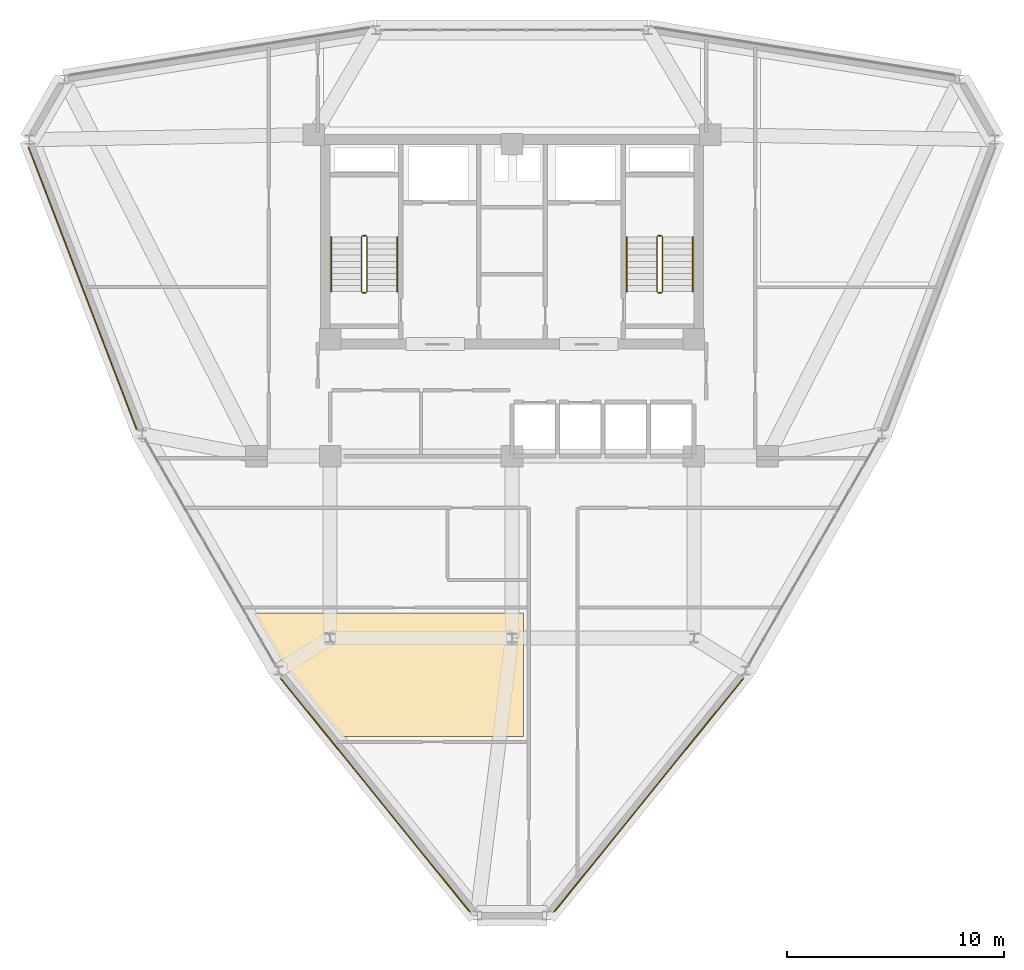
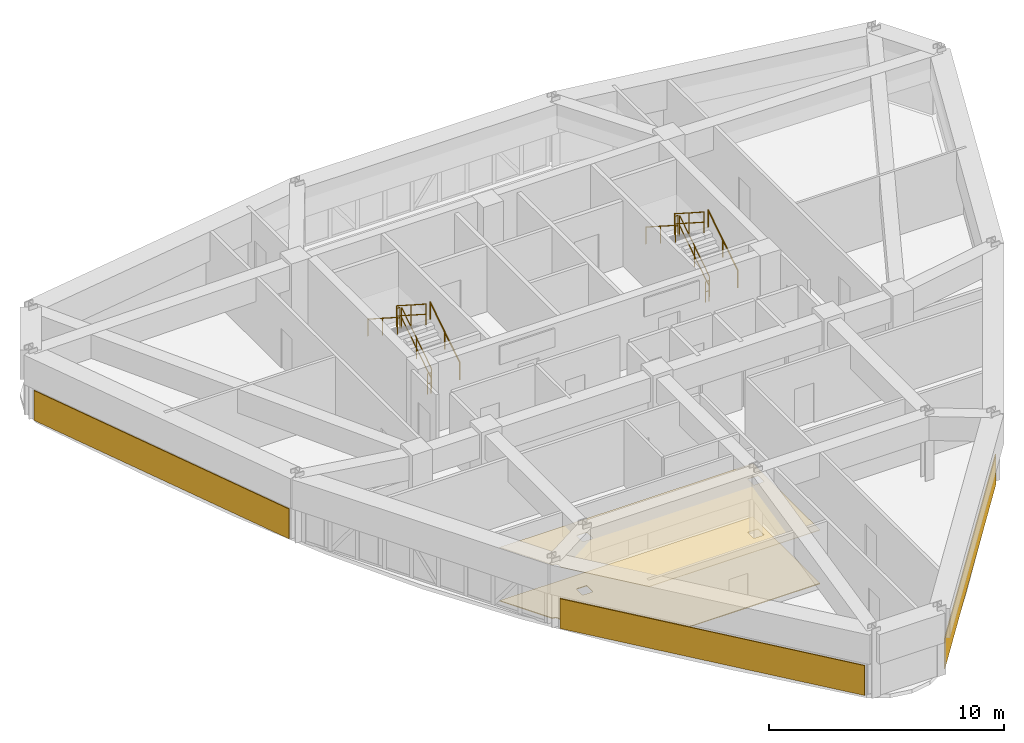
# One storey, part 12 of 13: 12 railings, 5 coverings.
"""IFC4 building model written with IfcOpenShell, lengths in metres."""

from ifc_helpers import new_model, si_unit, derived_unit, direction, frame, origin, origin_2d, place, context, subcontext, project, spatial, polyline, circle, outline, extrude, material, layer, layer_set, type_object, element, save


model = new_model("IFC4")

# Units and contexts
model_context = context("Model", 3, precision=1e-05, world=origin(), true_north=direction((0.0, 1.0)))
body_context = subcontext(model_context, "Body", "Model", "MODEL_VIEW")
ifc_project = project(units=[si_unit("LENGTHUNIT", "METRE"), si_unit("AREAUNIT", "SQUARE_METRE"), si_unit("VOLUMEUNIT", "CUBIC_METRE"), si_unit("PLANEANGLEUNIT", "RADIAN"), si_unit("MASSUNIT", "GRAM", prefix="KILO"), derived_unit("THERMALTRANSMITTANCEUNIT", [(si_unit("POWERUNIT", "WATT"), 1), (si_unit("LENGTHUNIT", "METRE"), -2), (si_unit("THERMODYNAMICTEMPERATUREUNIT", "KELVIN"), -1)])], contexts=[model_context])

# Site, building, storey
site_placement = place(None, origin())
site = spatial("IfcSite", under=ifc_project, at=site_placement, CompositionType="ELEMENT")
building_placement = place(site_placement, origin())
building = spatial("IfcBuilding", under=site, at=building_placement, Name="Korsvarv Bourse and Concert Hall", CompositionType="ELEMENT")
storey_placement = place(building_placement, frame((0.0, 0.0, 183.0)))
storey = spatial("IfcBuildingStorey", under=building, at=storey_placement, Name="L47", CompositionType="ELEMENT", Elevation=183.0)

# Coverings
ifc_material_1 = material(Name="Perforated mineral-wool and birch acoustic baffle ceiling", Category="wood")
ifc_layer_1 = layer(ifc_material_1, 0.02490234375)
ifc_layer_set_1 = layer_set([ifc_layer_1], Name="Perforated mineral-wool and birch acoustic baffle ceiling")
covering_type_1 = type_object("IfcCoveringType", Name="COV-CEIL-1", PredefinedType="CEILING", material=ifc_layer_set_1)
covering_1_placement = place(storey_placement, frame((0.0, 0.0, 2.780029296875)))
element("IfcCovering", 1, at=covering_1_placement, inside=storey, type_object=covering_type_1, Name="L47 acoustic baffle ceiling 3", PredefinedType="CEILING", context=body_context, shape_type="SweptSolid", body=[
    extrude(outline(polyline([(28.135986328125, 19.449951171875), (25.60986328125, 22.567138671875), (25.60986328125, 22.72021484375), (25.606201171875, 22.756103515625), (25.595703125, 22.79052734375), (25.578125, 22.822021484375), (25.554931640625, 22.849609375), (25.526611328125, 22.8720703125), (25.494384765625, 22.88818359375), (25.45947265625, 22.897705078125), (25.383544921875, 22.903564453125), (24.08642578125, 25.14990234375), (36.52001953125, 25.14990234375), (36.52001953125, 19.449951171875), (28.135986328125, 19.449951171875)]), holes=[polyline([(27.37939453125, 23.734619140625), (27.805908203125, 23.732421875), (27.82958984375, 23.73828125), (27.84765625, 23.754638671875), (27.855712890625, 23.777587890625), (27.85595703125, 24.217529296875), (27.85009765625, 24.2412109375), (27.833740234375, 24.259033203125), (27.810791015625, 24.267333984375), (27.39404296875, 24.267578125), (27.370361328125, 24.26171875), (27.352294921875, 24.245361328125), (27.34423828125, 24.222412109375), (27.343994140625, 23.782470703125), (27.349853515625, 23.7587890625), (27.37939453125, 23.734619140625)]), polyline([(35.7841796875, 23.7333984375), (36.2060546875, 23.732421875), (36.2294921875, 23.73828125), (36.24755859375, 23.754638671875), (36.255859375, 23.777587890625), (36.256103515625, 24.217529296875), (36.25, 24.2412109375), (36.23388671875, 24.259033203125), (36.2109375, 24.267333984375), (35.7939453125, 24.267578125), (35.7705078125, 24.26171875), (35.75244140625, 24.245361328125), (35.744140625, 24.222412109375), (35.743896484375, 23.782470703125), (35.75, 23.7587890625), (35.7841796875, 23.7333984375)])]), origin(), (0.0, 0.0, 1.0), 0.02490234375),
])
ifc_material_2 = material(Name="Warm iron-oxide extruded terracotta rainscreen tile", Category="ceramic")
ifc_layer_2 = layer(ifc_material_2, 0.044921875)
ifc_layer_set_2 = layer_set([ifc_layer_2], Name="Warm iron-oxide extruded terracotta rainscreen tile")
covering_type_2 = type_object("IfcCoveringType", Name="COV-CLD-TC", PredefinedType="CLADDING", material=ifc_layer_set_2)
covering_2_placement = place(storey_placement, origin())
element("IfcCovering", 2, at=covering_2_placement, inside=storey, type_object=covering_type_2, Name="L47 fluted terracotta cladding panel EW-L47-B06", PredefinedType="CLADDING", context=body_context, shape_type="SweptSolid", body=[
    extrude(outline(polyline([(13.694091796875, 46.677001953125), (18.691162109375, 33.64501953125), (18.649169921875, 33.628662109375), (13.652099609375, 46.660888671875), (13.694091796875, 46.677001953125)])), origin(), (0.0, 0.0, 1.0), 1.550048828125),
])
covering_3_placement = place(storey_placement, origin())
element("IfcCovering", 3, at=covering_3_placement, inside=storey, type_object=covering_type_2, Name="L47 fluted terracotta cladding panel EW-L47-B08", PredefinedType="CLADDING", context=body_context, shape_type="SweptSolid", body=[
    extrude(outline(polyline([(25.3349609375, 22.152099609375), (34.064453125, 11.379638671875), (34.029541015625, 11.351318359375), (25.300048828125, 22.12353515625), (25.3349609375, 22.152099609375)])), origin(), (0.0, 0.0, 1.0), 1.550048828125),
])
covering_4_placement = place(storey_placement, origin())
element("IfcCovering", 4, at=covering_4_placement, inside=storey, type_object=covering_type_2, Name="L47 fluted terracotta cladding panel EW-L47-B10", PredefinedType="CLADDING", context=body_context, shape_type="SweptSolid", body=[
    extrude(outline(polyline([(37.935546875, 11.379638671875), (46.6650390625, 22.152099609375), (46.699951171875, 22.12353515625), (37.970458984375, 11.351318359375), (37.935546875, 11.379638671875)])), origin(), (0.0, 0.0, 1.0), 1.550048828125),
])
ifc_material_3 = material(Name="Calcium-sulphate raised access trading floor with Nordic oak top", Category="wood")
ifc_layer_3 = layer(ifc_material_3, 0.0400390625)
ifc_layer_set_3 = layer_set([ifc_layer_3], Name="Calcium-sulphate raised access trading floor with Nordic oak top")
covering_type_3 = type_object("IfcCoveringType", Name="COV-FLOR-1", PredefinedType="FLOORING", material=ifc_layer_set_3)
covering_5_placement = place(storey_placement, origin())
element("IfcCovering", 5, at=covering_5_placement, inside=storey, type_object=covering_type_3, Name="L47 raised access oak floor finish 3", PredefinedType="FLOORING", context=body_context, shape_type="SweptSolid", body=[
    extrude(outline(polyline([(28.135986328125, 19.449951171875), (25.60986328125, 22.567138671875), (25.60986328125, 22.72021484375), (25.606201171875, 22.756103515625), (25.595703125, 22.79052734375), (25.578125, 22.822021484375), (25.554931640625, 22.849609375), (25.526611328125, 22.8720703125), (25.494384765625, 22.88818359375), (25.45947265625, 22.897705078125), (25.383544921875, 22.903564453125), (24.08642578125, 25.14990234375), (36.52001953125, 25.14990234375), (36.52001953125, 19.449951171875), (28.135986328125, 19.449951171875)]), holes=[polyline([(27.37939453125, 23.734619140625), (27.805908203125, 23.732421875), (27.82958984375, 23.73828125), (27.84765625, 23.754638671875), (27.855712890625, 23.777587890625), (27.85595703125, 24.217529296875), (27.85009765625, 24.2412109375), (27.833740234375, 24.259033203125), (27.810791015625, 24.267333984375), (27.39404296875, 24.267578125), (27.370361328125, 24.26171875), (27.352294921875, 24.245361328125), (27.34423828125, 24.222412109375), (27.343994140625, 23.782470703125), (27.349853515625, 23.7587890625), (27.37939453125, 23.734619140625)]), polyline([(35.7841796875, 23.7333984375), (36.2060546875, 23.732421875), (36.2294921875, 23.73828125), (36.24755859375, 23.754638671875), (36.255859375, 23.777587890625), (36.256103515625, 24.217529296875), (36.25, 24.2412109375), (36.23388671875, 24.259033203125), (36.2109375, 24.267333984375), (35.7939453125, 24.267578125), (35.7705078125, 24.26171875), (35.75244140625, 24.245361328125), (35.744140625, 24.222412109375), (35.743896484375, 23.782470703125), (35.75, 23.7587890625), (35.7841796875, 23.7333984375)])]), origin(), (0.0, 0.0, 1.0), 0.0400390625),
])

# Railings
ifc_material_4 = material(Name="Painted Steel S355 stair well guardrail", Category="steel")
railing_type_1 = type_object("IfcRailingType", Name="RL-ST-GRD", PredefinedType="GUARDRAIL", material=ifc_material_4)
railing_1_placement = place(storey_placement, frame((29.31005859375, 40.0, 0.179931640625)))
element("IfcRailing", 6, at=railing_1_placement, inside=storey, type_object=railing_type_1, Name="L47 ST-T1 stair guard 1", PredefinedType="GUARDRAIL", context=body_context, shape_type="SweptSolid", body=[
    extrude(circle(Radius=0.02392578125, at=origin_2d()), frame((0.0, 0.0, 1.076171875), z_axis=(0.0, 0.841162588446, 0.540782303519), x_axis=(-1.0, 0.0, 0.0)), (0.0, 0.0, 1.0), 2.995849609375),
    extrude(circle(Radius=0.02392578125, at=origin_2d()), frame((0.0, 0.0, 0.550048828125), z_axis=(0.0, 0.841162588446, 0.540782303519), x_axis=(-1.0, 0.0, 0.0)), (0.0, 0.0, 1.0), 2.995849609375),
    extrude(circle(Radius=0.02099609375, at=origin_2d()), origin(), (0.0, 0.0, 1.0), 1.052001953125),
    extrude(circle(Radius=0.02099609375, at=origin_2d()), frame((0.0, 1.260009765625, 0.81005859375)), (0.0, 0.0, 1.0), 1.052001953125),
    extrude(circle(Radius=0.02099609375, at=origin_2d()), frame((0.0, 2.52001953125, 1.6201171875)), (0.0, 0.0, 1.0), 1.052001953125),
])
railing_2_placement = place(storey_placement, frame((29.260009765625, 42.570068359375, 1.800048828125)))
element("IfcRailing", 7, at=railing_2_placement, inside=storey, type_object=railing_type_1, Name="L47 ST-T1 stair guard 2", PredefinedType="GUARDRAIL", context=body_context, shape_type="SweptSolid", body=[
    extrude(circle(Radius=0.02392578125, at=origin_2d()), frame((0.0, 0.0, 1.076171875), z_axis=(-1.0, 0.0, 0.0), x_axis=(0.0, -1.0, 0.0)), (0.0, 0.0, 1.0), 0.159912109375),
    extrude(circle(Radius=0.02392578125, at=origin_2d()), frame((0.0, 0.0, 0.550048828125), z_axis=(-1.0, 0.0, 0.0), x_axis=(0.0, -1.0, 0.0)), (0.0, 0.0, 1.0), 0.159912109375),
    extrude(circle(Radius=0.02099609375, at=origin_2d()), origin(), (0.0, 0.0, 1.0), 1.052001953125),
    extrude(circle(Radius=0.02099609375, at=origin_2d()), frame((-0.159912109375, 0.0, 0.0)), (0.0, 0.0, 1.0), 1.052001953125),
])
railing_3_placement = place(storey_placement, frame((29.050048828125, 42.52001953125, 1.97998046875)))
element("IfcRailing", 8, at=railing_3_placement, inside=storey, type_object=railing_type_1, Name="L47 ST-T1 stair guard 3", PredefinedType="GUARDRAIL", context=body_context, shape_type="SweptSolid", body=[
    extrude(circle(Radius=0.02392578125, at=origin_2d()), frame((0.0, 0.0, 1.076171875), z_axis=(0.0, -0.841162588446, 0.540782303519), x_axis=(1.0, 0.0, 0.0)), (0.0, 0.0, 1.0), 2.995849609375),
    extrude(circle(Radius=0.02392578125, at=origin_2d()), frame((0.0, 0.0, 0.550048828125), z_axis=(0.0, -0.841162588446, 0.540782303519), x_axis=(1.0, 0.0, 0.0)), (0.0, 0.0, 1.0), 2.995849609375),
    extrude(circle(Radius=0.02099609375, at=origin_2d()), origin(), (0.0, 0.0, 1.0), 1.052001953125),
    extrude(circle(Radius=0.02099609375, at=origin_2d()), frame((0.0, -1.260009765625, 0.81005859375)), (0.0, 0.0, 1.0), 1.052001953125),
    extrude(circle(Radius=0.02099609375, at=origin_2d()), frame((0.0, -2.52001953125, 1.6201171875)), (0.0, 0.0, 1.0), 1.052001953125),
])
railing_4_placement = place(storey_placement, frame((29.260009765625, 39.949951171875, 0.0)))
element("IfcRailing", 9, at=railing_4_placement, inside=storey, type_object=railing_type_1, Name="L47 ST-T1 stair guard 4", PredefinedType="GUARDRAIL", context=body_context, shape_type="SweptSolid", body=[
    extrude(circle(Radius=0.02392578125, at=origin_2d()), frame((0.0, 0.0, 1.076171875), z_axis=(-1.0, 0.0, 0.0), x_axis=(0.0, -1.0, 0.0)), (0.0, 0.0, 1.0), 0.159912109375),
    extrude(circle(Radius=0.02392578125, at=origin_2d()), frame((0.0, 0.0, 0.550048828125), z_axis=(-1.0, 0.0, 0.0), x_axis=(0.0, -1.0, 0.0)), (0.0, 0.0, 1.0), 0.159912109375),
    extrude(circle(Radius=0.02099609375, at=origin_2d()), origin(), (0.0, 0.0, 1.0), 1.052001953125),
    extrude(circle(Radius=0.02099609375, at=origin_2d()), frame((-0.159912109375, 0.0, 0.0)), (0.0, 0.0, 1.0), 1.052001953125),
])
railing_5_placement = place(storey_placement, frame((42.949951171875, 40.0, 0.179931640625)))
element("IfcRailing", 10, at=railing_5_placement, inside=storey, type_object=railing_type_1, Name="L47 ST-T2 stair guard 1", PredefinedType="GUARDRAIL", context=body_context, shape_type="SweptSolid", body=[
    extrude(circle(Radius=0.02392578125, at=origin_2d()), frame((0.0, 0.0, 1.076171875), z_axis=(0.0, 0.841162588446, 0.540782303519), x_axis=(-1.0, 0.0, 0.0)), (0.0, 0.0, 1.0), 2.995849609375),
    extrude(circle(Radius=0.02392578125, at=origin_2d()), frame((0.0, 0.0, 0.550048828125), z_axis=(0.0, 0.841162588446, 0.540782303519), x_axis=(-1.0, 0.0, 0.0)), (0.0, 0.0, 1.0), 2.995849609375),
    extrude(circle(Radius=0.02099609375, at=origin_2d()), origin(), (0.0, 0.0, 1.0), 1.052001953125),
    extrude(circle(Radius=0.02099609375, at=origin_2d()), frame((0.0, 1.260009765625, 0.81005859375)), (0.0, 0.0, 1.0), 1.052001953125),
    extrude(circle(Radius=0.02099609375, at=origin_2d()), frame((0.0, 2.52001953125, 1.6201171875)), (0.0, 0.0, 1.0), 1.052001953125),
])
railing_6_placement = place(storey_placement, frame((42.89990234375, 42.570068359375, 1.800048828125)))
element("IfcRailing", 11, at=railing_6_placement, inside=storey, type_object=railing_type_1, Name="L47 ST-T2 stair guard 2", PredefinedType="GUARDRAIL", context=body_context, shape_type="SweptSolid", body=[
    extrude(circle(Radius=0.02392578125, at=origin_2d()), frame((0.0, 0.0, 1.076171875), z_axis=(-1.0, 0.0, 0.0), x_axis=(0.0, -1.0, 0.0)), (0.0, 0.0, 1.0), 0.159912109375),
    extrude(circle(Radius=0.02392578125, at=origin_2d()), frame((0.0, 0.0, 0.550048828125), z_axis=(-1.0, 0.0, 0.0), x_axis=(0.0, -1.0, 0.0)), (0.0, 0.0, 1.0), 0.159912109375),
    extrude(circle(Radius=0.02099609375, at=origin_2d()), origin(), (0.0, 0.0, 1.0), 1.052001953125),
    extrude(circle(Radius=0.02099609375, at=origin_2d()), frame((-0.159912109375, 0.0, 0.0)), (0.0, 0.0, 1.0), 1.052001953125),
])
railing_7_placement = place(storey_placement, frame((42.68994140625, 42.52001953125, 1.97998046875)))
element("IfcRailing", 12, at=railing_7_placement, inside=storey, type_object=railing_type_1, Name="L47 ST-T2 stair guard 3", PredefinedType="GUARDRAIL", context=body_context, shape_type="SweptSolid", body=[
    extrude(circle(Radius=0.02392578125, at=origin_2d()), frame((0.0, 0.0, 1.076171875), z_axis=(0.0, -0.841162588446, 0.540782303519), x_axis=(1.0, 0.0, 0.0)), (0.0, 0.0, 1.0), 2.995849609375),
    extrude(circle(Radius=0.02392578125, at=origin_2d()), frame((0.0, 0.0, 0.550048828125), z_axis=(0.0, -0.841162588446, 0.540782303519), x_axis=(1.0, 0.0, 0.0)), (0.0, 0.0, 1.0), 2.995849609375),
    extrude(circle(Radius=0.02099609375, at=origin_2d()), origin(), (0.0, 0.0, 1.0), 1.052001953125),
    extrude(circle(Radius=0.02099609375, at=origin_2d()), frame((0.0, -1.260009765625, 0.81005859375)), (0.0, 0.0, 1.0), 1.052001953125),
    extrude(circle(Radius=0.02099609375, at=origin_2d()), frame((0.0, -2.52001953125, 1.6201171875)), (0.0, 0.0, 1.0), 1.052001953125),
])
railing_8_placement = place(storey_placement, frame((42.89990234375, 39.949951171875, 0.0)))
element("IfcRailing", 13, at=railing_8_placement, inside=storey, type_object=railing_type_1, Name="L47 ST-T2 stair guard 4", PredefinedType="GUARDRAIL", context=body_context, shape_type="SweptSolid", body=[
    extrude(circle(Radius=0.02392578125, at=origin_2d()), frame((0.0, 0.0, 1.076171875), z_axis=(-1.0, 0.0, 0.0), x_axis=(0.0, -1.0, 0.0)), (0.0, 0.0, 1.0), 0.159912109375),
    extrude(circle(Radius=0.02392578125, at=origin_2d()), frame((0.0, 0.0, 0.550048828125), z_axis=(-1.0, 0.0, 0.0), x_axis=(0.0, -1.0, 0.0)), (0.0, 0.0, 1.0), 0.159912109375),
    extrude(circle(Radius=0.02099609375, at=origin_2d()), origin(), (0.0, 0.0, 1.0), 1.052001953125),
    extrude(circle(Radius=0.02099609375, at=origin_2d()), frame((-0.159912109375, 0.0, 0.0)), (0.0, 0.0, 1.0), 1.052001953125),
])
ifc_material_5 = material(Name="Brushed stainless Steel S355 tubular handrail", Category="steel")
railing_type_2 = type_object("IfcRailingType", Name="RL-ST-HND", PredefinedType="HANDRAIL", material=ifc_material_5)
railing_9_placement = place(storey_placement, frame((30.7099609375, 40.0, 0.179931640625)))
element("IfcRailing", 14, at=railing_9_placement, inside=storey, type_object=railing_type_2, Name="L47 ST-T1 stair handrail 1", PredefinedType="HANDRAIL", context=body_context, shape_type="SweptSolid", body=[
    extrude(circle(Radius=0.02392578125, at=origin_2d()), frame((0.0, 0.0, 0.8759765625), z_axis=(0.0, 0.841162588446, 0.540782303519), x_axis=(-1.0, 0.0, 0.0)), (0.0, 0.0, 1.0), 2.995849609375),
    extrude(circle(Radius=0.02099609375, at=origin_2d()), origin(), (0.0, 0.0, 1.0), 0.851806640625),
    extrude(circle(Radius=0.02099609375, at=origin_2d()), frame((0.0, 1.260009765625, 0.81005859375)), (0.0, 0.0, 1.0), 0.851806640625),
    extrude(circle(Radius=0.02099609375, at=origin_2d()), frame((0.0, 2.52001953125, 1.6201171875)), (0.0, 0.0, 1.0), 0.851806640625),
])
railing_10_placement = place(storey_placement, frame((27.64990234375, 42.52001953125, 1.97998046875)))
element("IfcRailing", 15, at=railing_10_placement, inside=storey, type_object=railing_type_2, Name="L47 ST-T1 stair handrail 2", PredefinedType="HANDRAIL", context=body_context, shape_type="SweptSolid", body=[
    extrude(circle(Radius=0.02392578125, at=origin_2d()), frame((0.0, 0.0, 0.8759765625), z_axis=(0.0, -0.841162588446, 0.540782303519), x_axis=(1.0, 0.0, 0.0)), (0.0, 0.0, 1.0), 2.995849609375),
    extrude(circle(Radius=0.02099609375, at=origin_2d()), origin(), (0.0, 0.0, 1.0), 0.851806640625),
    extrude(circle(Radius=0.02099609375, at=origin_2d()), frame((0.0, -1.260009765625, 0.81005859375)), (0.0, 0.0, 1.0), 0.851806640625),
    extrude(circle(Radius=0.02099609375, at=origin_2d()), frame((0.0, -2.52001953125, 1.6201171875)), (0.0, 0.0, 1.0), 0.851806640625),
])
railing_11_placement = place(storey_placement, frame((44.35009765625, 40.0, 0.179931640625)))
element("IfcRailing", 16, at=railing_11_placement, inside=storey, type_object=railing_type_2, Name="L47 ST-T2 stair handrail 1", PredefinedType="HANDRAIL", context=body_context, shape_type="SweptSolid", body=[
    extrude(circle(Radius=0.02392578125, at=origin_2d()), frame((0.0, 0.0, 0.8759765625), z_axis=(0.0, 0.841162588446, 0.540782303519), x_axis=(-1.0, 0.0, 0.0)), (0.0, 0.0, 1.0), 2.995849609375),
    extrude(circle(Radius=0.02099609375, at=origin_2d()), origin(), (0.0, 0.0, 1.0), 0.851806640625),
    extrude(circle(Radius=0.02099609375, at=origin_2d()), frame((0.0, 1.260009765625, 0.81005859375)), (0.0, 0.0, 1.0), 0.851806640625),
    extrude(circle(Radius=0.02099609375, at=origin_2d()), frame((0.0, 2.52001953125, 1.6201171875)), (0.0, 0.0, 1.0), 0.851806640625),
])
railing_12_placement = place(storey_placement, frame((41.2900390625, 42.52001953125, 1.97998046875)))
element("IfcRailing", 17, at=railing_12_placement, inside=storey, type_object=railing_type_2, Name="L47 ST-T2 stair handrail 2", PredefinedType="HANDRAIL", context=body_context, shape_type="SweptSolid", body=[
    extrude(circle(Radius=0.02392578125, at=origin_2d()), frame((0.0, 0.0, 0.8759765625), z_axis=(0.0, -0.841162588446, 0.540782303519), x_axis=(1.0, 0.0, 0.0)), (0.0, 0.0, 1.0), 2.995849609375),
    extrude(circle(Radius=0.02099609375, at=origin_2d()), origin(), (0.0, 0.0, 1.0), 0.851806640625),
    extrude(circle(Radius=0.02099609375, at=origin_2d()), frame((0.0, -1.260009765625, 0.81005859375)), (0.0, 0.0, 1.0), 0.851806640625),
    extrude(circle(Radius=0.02099609375, at=origin_2d()), frame((0.0, -2.52001953125, 1.6201171875)), (0.0, 0.0, 1.0), 0.851806640625),
])

save(model, "model.ifc")
